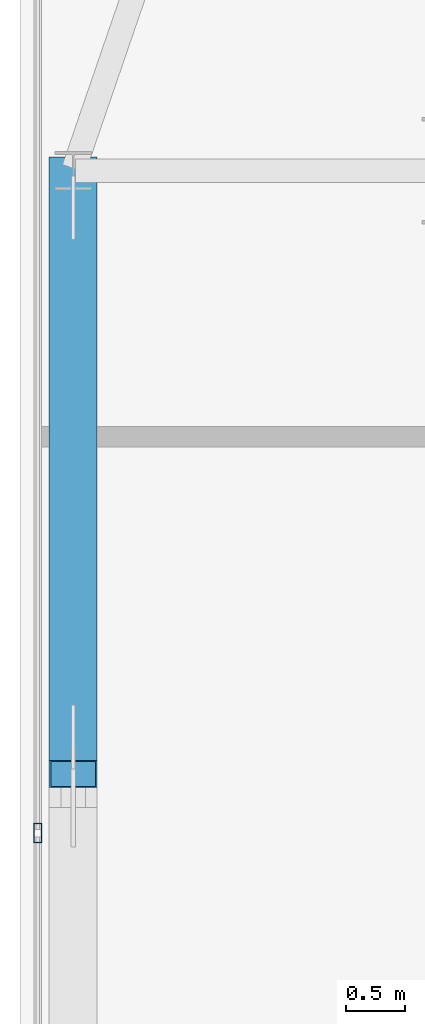
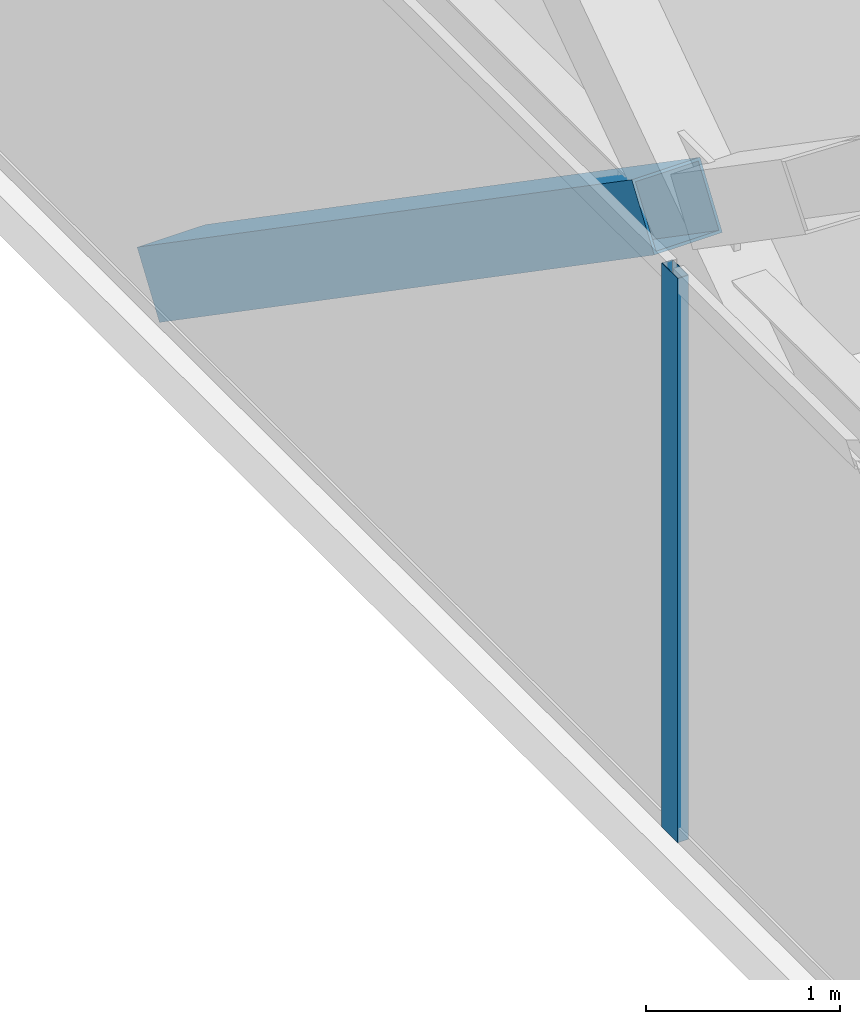
# One storey, part 9 of 25: 2 members, 1 element without a shape of its own.
"""IFC4 building model written with IfcOpenShell, lengths in metres."""

import ifcopenshell
import ifcopenshell.guid

model = None  # the IFC model being written
_history = None  # IfcOwnerHistory: only IFC2X3 demands one
_inside = {}  # id of a spatial element -> (the spatial element, [elements in it])
_under = {}  # id of a project, library or spatial element -> (it, [spatial elements below it])
_declared = {}  # id of a project -> (the project, [libraries it declares])
_typed = {}  # id of a type object -> (the type object, [elements of that type])
_made_of = {}  # id of a material, layer set ... -> (it, [elements and type objects made of it])


def new_model(schema):
    """Start an empty IFC model of exactly this schema.

    Asked for "IFC4X3", IfcOpenShell would pick the latest addendum, in which some entities
    have other attributes; the version numbers below select the first issue.
    IFC2X3 requires an IfcOwnerHistory on every rooted entity: one is made here for all.
    """
    global model, _history
    if schema == "IFC4X3":
        model = ifcopenshell.file(schema_version=(4, 3, 0, 0))
    else:
        model = ifcopenshell.file(schema=schema)
    _inside.clear()
    _under.clear()
    _declared.clear()
    _typed.clear()
    _made_of.clear()
    _history = None
    if model.schema == "IFC2X3":
        org = make("IfcOrganization", Name="unknown")
        user = make(
            "IfcPersonAndOrganization",
            ThePerson=make("IfcPerson", FamilyName="unknown"),
            TheOrganization=org,
        )
        app = make(
            "IfcApplication",
            ApplicationDeveloper=org,
            Version="unknown",
            ApplicationFullName="unknown",
            ApplicationIdentifier="unknown",
        )
        _history = make(
            "IfcOwnerHistory",
            OwningUser=user,
            OwningApplication=app,
            ChangeAction="ADDED",
            CreationDate=0,
        )
    return model


def make(cls, **values):
    """One entity of the class cls with the attributes given. An attribute that is None is left unset."""
    return model.create_entity(
        cls, **{name: value for name, value in values.items() if value is not None}
    )


def rooted(cls, **values):
    """An entity with a GlobalId (a new one), such as an element, a storey or a relation."""
    return make(cls, GlobalId=ifcopenshell.guid.new(), OwnerHistory=_history, **values)


def si_unit(unit_type, name, prefix=None):
    """IfcSIUnit, for example si_unit("LENGTHUNIT", "METRE", prefix="MILLI")."""
    return make("IfcSIUnit", UnitType=unit_type, Prefix=prefix, Name=name)


def assignment(units):
    """IfcUnitAssignment: the units of a project."""
    return None if units is None else make("IfcUnitAssignment", Units=units)


def point(xyz):
    """IfcCartesianPoint."""
    return None if xyz is None else make("IfcCartesianPoint", Coordinates=xyz)


def direction(xyz):
    """IfcDirection."""
    return None if xyz is None else make("IfcDirection", DirectionRatios=xyz)


def frame(location, z_axis=None, x_axis=None):
    """IfcAxis2Placement3D, a coordinate frame: its origin and axes. An axis left out is left unset."""
    return make(
        "IfcAxis2Placement3D",
        Location=point(location),
        Axis=direction(z_axis),
        RefDirection=direction(x_axis),
    )


def frame_2d(location, x_axis=None):
    """IfcAxis2Placement2D, a coordinate frame in the plane: its origin and x axis."""
    return make(
        "IfcAxis2Placement2D", Location=point(location), RefDirection=direction(x_axis)
    )


def origin():
    """The frame at (0, 0, 0) with its axes left unset."""
    return frame((0.0, 0.0, 0.0))


def origin_2d():
    """The frame at (0, 0) in the plane with its x axis left unset."""
    return frame_2d((0.0, 0.0))


def place(relative_to, where):
    """IfcLocalPlacement: puts the frame where relative to a parent placement (None: the world)."""
    return make(
        "IfcLocalPlacement", PlacementRelTo=relative_to, RelativePlacement=where
    )


def context(
    kind, dimensions, precision=None, world=None, true_north=None, identifier=None
):
    """IfcGeometricRepresentationContext, for example the 3D "Model" context."""
    return make(
        "IfcGeometricRepresentationContext",
        ContextIdentifier=identifier,
        ContextType=kind,
        CoordinateSpaceDimension=dimensions,
        Precision=precision,
        WorldCoordinateSystem=world,
        TrueNorth=true_north,
    )


def subcontext(parent, identifier, kind, view, scale=None):
    """IfcGeometricRepresentationSubContext, for example "Body" below "Model"."""
    return make(
        "IfcGeometricRepresentationSubContext",
        ContextIdentifier=identifier,
        ContextType=kind,
        ParentContext=parent,
        TargetScale=scale,
        TargetView=view,
    )


def project(units=None, contexts=None):
    """IfcProject with its units and contexts."""
    return rooted(
        "IfcProject",
        Name="project",
        RepresentationContexts=contexts,
        UnitsInContext=assignment(units),
    )


def spatial(cls, under=None, at=None, **own):
    """A site, building, storey or space (cls), placed at a placement, below another one or the project."""
    s = rooted(cls, ObjectPlacement=at, **own)
    if under is not None:
        _under.setdefault(under.id(), (under, []))[1].append(s)
    return s


def profile(cls, at=None, kind="AREA", **sizes):
    """A parametric profile (cls). Its sizes go by their IFC names, for example OverallWidth=200.0."""
    return make(cls, ProfileType=kind, Position=at, **sizes)


def hollow_rectangle(**sizes):
    """IfcRectangleHollowProfileDef."""
    return profile("IfcRectangleHollowProfileDef", **sizes)


def extrude(swept, where, along, depth):
    """IfcExtrudedAreaSolid: the profile swept, set in the frame where, extruded along a direction by depth."""
    return make(
        "IfcExtrudedAreaSolid",
        SweptArea=swept,
        Position=where,
        ExtrudedDirection=direction(along),
        Depth=depth,
    )


def shape(context_of_items, identifier, shape_type, items):
    """IfcShapeRepresentation: the items that make up one representation, for example the "Body"."""
    return make(
        "IfcShapeRepresentation",
        ContextOfItems=context_of_items,
        RepresentationIdentifier=identifier,
        RepresentationType=shape_type,
        Items=items,
    )


def source(mapping_origin, context_of_items, identifier, shape_type, items):
    """IfcRepresentationMap: a shape defined once, which mapped items show again and again."""
    return make(
        "IfcRepresentationMap",
        MappingOrigin=mapping_origin,
        MappedRepresentation=shape(context_of_items, identifier, shape_type, items),
    )


def transform(
    local_origin,
    x_axis=None,
    y_axis=None,
    z_axis=None,
    scale=None,
    scale2=None,
    scale3=None,
    uniform=True,
):
    """IfcCartesianTransformationOperator3D, or its non-uniform kind. x_axis, y_axis, z_axis: its Axis1, 2, 3."""
    if uniform:
        return make(
            "IfcCartesianTransformationOperator3D",
            Axis1=direction(x_axis),
            Axis2=direction(y_axis),
            LocalOrigin=point(local_origin),
            Scale=scale,
            Axis3=direction(z_axis),
        )
    return make(
        "IfcCartesianTransformationOperator3DnonUniform",
        Axis1=direction(x_axis),
        Axis2=direction(y_axis),
        LocalOrigin=point(local_origin),
        Scale=scale,
        Axis3=direction(z_axis),
        Scale2=scale2,
        Scale3=scale3,
    )


def mapped(mapping_source, mapping_target):
    """IfcMappedItem: shows the shape of a source again, moved by a transform."""
    return make(
        "IfcMappedItem", MappingSource=mapping_source, MappingTarget=mapping_target
    )


def material(Name=None, Category=None):
    """IfcMaterial."""
    return make("IfcMaterial", Name=Name, Category=Category)


def layer(
    of_material, thickness, ventilated=None, Name=None, Category=None, Priority=None
):
    """IfcMaterialLayer: one layer of a wall or slab, of a material (None: an air gap)."""
    return make(
        "IfcMaterialLayer",
        Material=of_material,
        LayerThickness=thickness,
        IsVentilated=ventilated,
        Name=Name,
        Category=Category,
        Priority=Priority,
    )


def layer_set(layers, Name=None):
    """IfcMaterialLayerSet."""
    return make("IfcMaterialLayerSet", MaterialLayers=layers, LayerSetName=Name)


def material_profile(
    of_material, cross_section, Name=None, Category=None, Priority=None
):
    """IfcMaterialProfile: a cross section and its material."""
    return make(
        "IfcMaterialProfile",
        Name=Name,
        Material=of_material,
        Profile=cross_section,
        Priority=Priority,
        Category=Category,
    )


def profile_set(profiles, Name=None, composite=None):
    """IfcMaterialProfileSet."""
    return make(
        "IfcMaterialProfileSet",
        Name=Name,
        MaterialProfiles=profiles,
        CompositeProfile=composite,
    )


def made_of(thing, what):
    """Note that an element or type object is made of a material, layer set ...; save() writes the relation."""
    if what is not None:
        _made_of.setdefault(what.id(), (what, []))[1].append(thing)
    return thing


def type_object(cls, material=None, **own):
    """A type object (cls), such as IfcWallType, which elements share."""
    return made_of(rooted(cls, **own), material)


def type_shapes(of_type, sources):
    """Give a type object the sources (RepresentationMaps) that its elements show as mapped items."""
    of_type.RepresentationMaps = sources


def element(
    cls,
    number,
    at=None,
    inside=None,
    cuts=None,
    type_object=None,
    material=None,
    context=None,
    identifier="Body",
    shape_type=None,
    held_by="IfcProductDefinitionShape",
    body=None,
    shapes=None,
    **own,
):
    """One element of the class cls, such as IfcWall. Its Tag is "e" and its number.

    at: its placement. inside: the storey or other place that contains it. cuts: it is an
    opening in that element (IfcRelVoidsElement). A single representation is given by context,
    identifier, shape_type and body (its items); several are given by shapes. held_by: the class
    of the entity that holds the representations. save() writes the other relations.
    """
    e = rooted(cls, Tag="e%d" % number, ObjectPlacement=at, **own)
    if body is not None:
        shapes = [shape(context, identifier, shape_type, body)]
    if shapes is not None:
        e.Representation = make(held_by, Representations=shapes)
    if inside is not None:
        _inside.setdefault(inside.id(), (inside, []))[1].append(e)
    if cuts is not None:
        rooted(
            "IfcRelVoidsElement", RelatingBuildingElement=cuts, RelatedOpeningElement=e
        )
    if type_object is not None:
        _typed.setdefault(type_object.id(), (type_object, []))[1].append(e)
    return made_of(e, material)


def aggregate(whole, parts):
    """IfcRelAggregates: a whole, such as a stair, and the parts it consists of."""
    return rooted("IfcRelAggregates", RelatingObject=whole, RelatedObjects=parts)


def save(model, path):
    """Write the relations noted so far, then the file.

    IfcRelAggregates (storeys below a building ...), IfcRelContainedInSpatialStructure (elements
    in a storey), IfcRelDefinesByType, IfcRelAssociatesMaterial and IfcRelDeclares: one each for
    every whole, place, type object, material and project.
    """
    for whole, parts in _under.values():
        aggregate(whole, parts)
    for where, things in _inside.values():
        rooted(
            "IfcRelContainedInSpatialStructure",
            RelatedElements=things,
            RelatingStructure=where,
        )
    for kind, things in _typed.values():
        rooted("IfcRelDefinesByType", RelatedObjects=things, RelatingType=kind)
    for what, things in _made_of.values():
        rooted("IfcRelAssociatesMaterial", RelatedObjects=things, RelatingMaterial=what)
    for by, libraries in _declared.values():
        rooted("IfcRelDeclares", RelatingContext=by, RelatedDefinitions=libraries)
    model.write(path)


model = new_model("IFC4")

# Units and contexts
model_context = context("Model", 3, precision=1e-05, world=origin(), true_north=direction((0.0, 1.0)))
body_context = subcontext(model_context, "Body", "Model", "MODEL_VIEW")
ifc_project = project(units=[si_unit("LENGTHUNIT", "METRE"), si_unit("AREAUNIT", "SQUARE_METRE"), si_unit("VOLUMEUNIT", "CUBIC_METRE"), si_unit("PLANEANGLEUNIT", "RADIAN"), si_unit("MASSUNIT", "GRAM", prefix="KILO")], contexts=[model_context])

# Site, building, storey
site_placement = place(None, origin())
site = spatial("IfcSite", under=ifc_project, at=site_placement, CompositionType="ELEMENT")
building_placement = place(site_placement, origin())
building = spatial("IfcBuilding", under=site, at=building_placement, Name="Varnel Quay Broadcast Tower", CompositionType="ELEMENT")
storey_placement = place(building_placement, frame((0.0, 0.0, 288.800048828125)))
storey = spatial("IfcBuildingStorey", under=building, at=storey_placement, Name="L72", CompositionType="ELEMENT", Elevation=288.800048828125)

# Member
ifc_material_1 = material(Name="Structural Steel CSA G40.21 350W", Category="steel")
ifc_material_profile_1 = material_profile(ifc_material_1, hollow_rectangle(XDim=0.406005859375, YDim=0.406005859375, WallThickness=0.01611328125, at=origin_2d()), Name="HSS406X406X16")
ifc_profile_set_1 = profile_set([ifc_material_profile_1], Name="Structural Steel CSA G40.21 350W")
member_type_1 = type_object("IfcMemberType", Name="Brace_HSS406X406X16", PredefinedType="BRACE", material=ifc_profile_set_1)
shared_shape_1 = source(origin(), body_context, "Body", "SweptSolid", [
    extrude(hollow_rectangle(XDim=0.406005859375, YDim=0.406005859375, WallThickness=0.01611328125, at=origin_2d()), origin(), (0.0, 0.0, 1.0), 6.19580078125),
])
type_shapes(member_type_1, [shared_shape_1])
member_1_placement = place(storey_placement, frame((12.449951171875, 35.60009765625, 0.02001953125), z_axis=(0.0, -0.823236281778, 0.567698885295), x_axis=(1.0, 0.0, 0.0)))
element("IfcMember", 1, at=member_1_placement, inside=storey, type_object=member_type_1, Name="Zone 5 Mega-Brace W-FT3 Split Diag B1", PredefinedType="BRACE", context=body_context, shape_type="MappedRepresentation", body=[
    mapped(shared_shape_1, transform((0.0, 0.0, 0.0), x_axis=(1.0, 0.0, 0.0), y_axis=(0.0, 1.0, 0.0), z_axis=(0.0, 0.0, 1.0), scale=1.0)),
])

# Curtain wall, member
ifc_material_2 = material(Name="Anodised Bronze Aluminium 6063-T6", Category="aluminium")
ifc_layer = layer(ifc_material_2, 0.18994140625, Name="Anodised Bronze Aluminium 6063-T6")
ifc_layer_set = layer_set([ifc_layer], Name="Anodised Bronze Aluminium 6063-T6")
curtain_wall_type = type_object("IfcCurtainWallType", Name="CW_UpperTower", PredefinedType="NOTDEFINED", material=ifc_layer_set)
curtain_wall_placement = place(storey_placement, origin())
curtain_wall = element("IfcCurtainWall", 2, at=curtain_wall_placement, inside=storey, type_object=curtain_wall_type, Name="L72 West Unitised Curtain Wall", PredefinedType="NOTDEFINED")
ifc_material_profile_2 = material_profile(ifc_material_2, hollow_rectangle(XDim=0.06494140625, YDim=0.1650390625, WallThickness=0.00341796875, at=origin_2d()), Name="ALU65X165X3.5")
ifc_profile_set_2 = profile_set([ifc_material_profile_2], Name="Anodised Bronze Aluminium 6063-T6")
member_type_2 = type_object("IfcMemberType", Name="Mull_CWS-03", PredefinedType="MULLION", material=ifc_profile_set_2)
shared_shape_2 = source(origin(), body_context, "Body", "SweptSolid", [
    extrude(hollow_rectangle(XDim=0.06494140625, YDim=0.1650390625, WallThickness=0.00341796875, at=origin_2d()), origin(), (0.0, 0.0, 1.0), 3.550048828125),
])
type_shapes(member_type_2, [shared_shape_2])
member_2_placement = place(storey_placement, frame((12.14990234375, 30.0, 0.0), z_axis=(0.0, 0.0, 1.0), x_axis=(-1.0, 0.0, 0.0)))
member_2 = element("IfcMember", 3, at=member_2_placement, type_object=member_type_2, Name="CWS-03 mullion 2", PredefinedType="MULLION", context=body_context, shape_type="MappedRepresentation", body=[
    mapped(shared_shape_2, transform((0.0, 0.0, 0.0), x_axis=(1.0, 0.0, 0.0), y_axis=(0.0, 1.0, 0.0), z_axis=(0.0, 0.0, 1.0), scale=1.0)),
])
aggregate(curtain_wall, [member_2])

save(model, "model.ifc")
